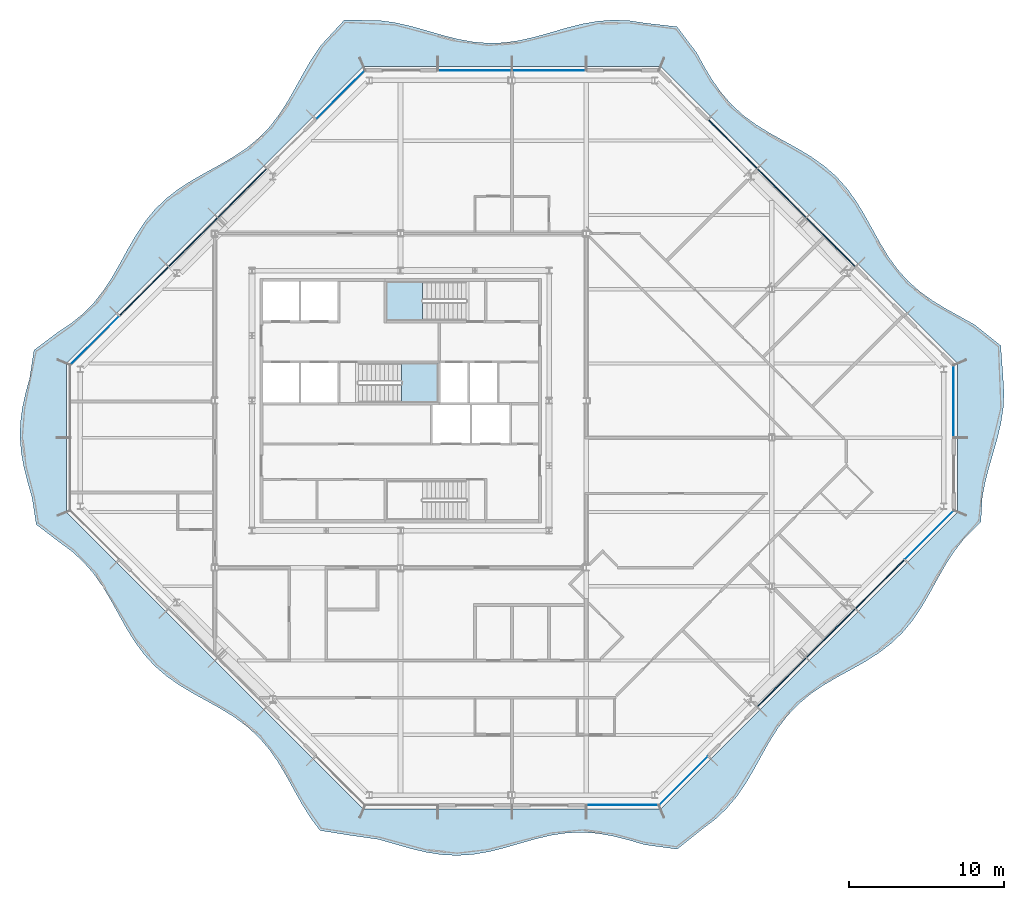
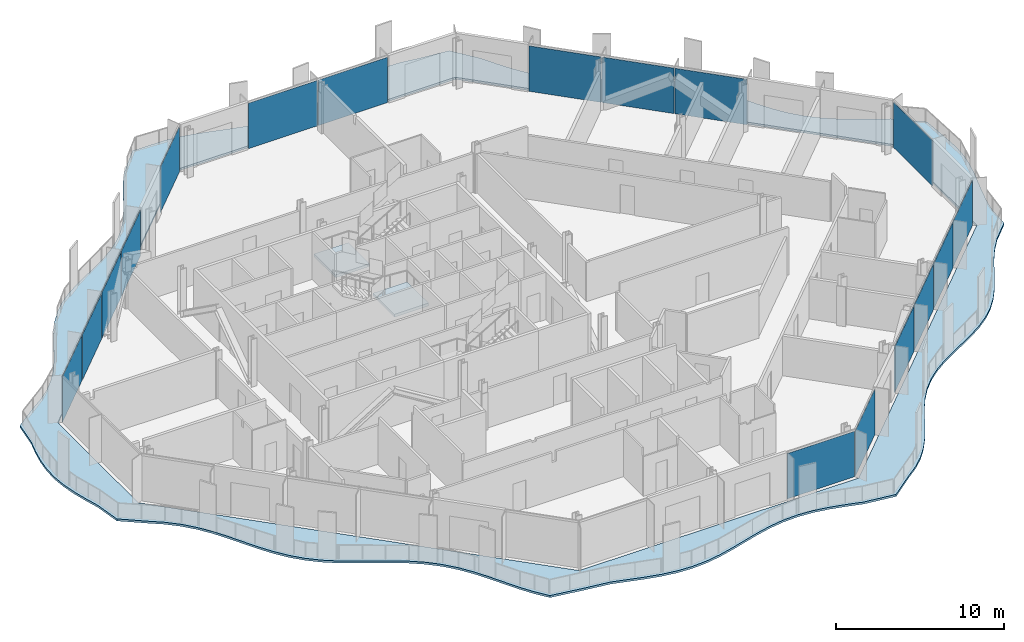
# One storey, part 6 of 17: 17 plates, 3 slabs, 8 elements without a shape of their own.
"""IFC4 building model written with IfcOpenShell, lengths in metres."""

from ifc_helpers import new_model, si_unit, direction, frame, origin, origin_2d, place, context, subcontext, project, spatial, polyline, rectangle, outline, extrude, material, layer, layer_set, type_object, element, aggregate, save


model = new_model("IFC4")

# Units and contexts
model_context = context("Model", 3, precision=1e-05, world=origin(), true_north=direction((0.0, 1.0)))
body_context = subcontext(model_context, "Body", "Model", "MODEL_VIEW")
ifc_project = project(units=[si_unit("LENGTHUNIT", "METRE"), si_unit("AREAUNIT", "SQUARE_METRE"), si_unit("VOLUMEUNIT", "CUBIC_METRE"), si_unit("PLANEANGLEUNIT", "RADIAN"), si_unit("MASSUNIT", "GRAM", prefix="KILO")], contexts=[model_context])

# Site, building, storey
site_placement = place(None, origin())
site = spatial("IfcSite", under=ifc_project, at=site_placement, CompositionType="ELEMENT")
building_placement = place(site_placement, origin())
building = spatial("IfcBuilding", under=site, at=building_placement, Name="Cairn Pilgrim Tower", CompositionType="ELEMENT")
storey_placement = place(building_placement, frame((0.0, 0.0, 217.800048828125)))
storey = spatial("IfcBuildingStorey", under=building, at=storey_placement, Name="L55", CompositionType="ELEMENT", Elevation=217.800048828125)

# Slab
ifc_material_1 = material(Name="Concrete C35/45", Category="concrete")
ifc_layer_1 = layer(ifc_material_1, 0.14990234375)
ifc_layer_set_1 = layer_set([ifc_layer_1], Name="BALCONY SLAB 150 CONCRETE C35/45")
slab_type_1 = type_object("IfcSlabType", Name="BALCONY SLAB 150 CONCRETE C35/45", PredefinedType="FLOOR", material=ifc_layer_set_1)
slab_1_placement = place(storey_placement, frame((0.0, 0.0, -0.150146484375)))
element("IfcSlab", 1, at=slab_1_placement, inside=storey, type_object=slab_type_1, Name="Balcony slab BS-1", PredefinedType="FLOOR", context=body_context, shape_type="SweptSolid", body=[
    extrude(outline(polyline([(1.9931640625, -25.384521484375), (4.087646484375, -25.7197265625), (5.810546875, -25.9658203125), (6.821044921875, -26.256103515625), (7.83154296875, -26.545654296875), (8.842041015625, -26.7890625), (9.8525390625, -26.94873046875), (10.863037109375, -26.999755859375), (11.873779296875, -26.934326171875), (12.88427734375, -26.762451171875), (13.894775390625, -26.510986328125), (14.9052734375, -26.218994140625), (15.915771484375, -25.931884765625), (16.92626953125, -25.694091796875), (17.936767578125, -25.542724609375), (18.947265625, -25.501220703125), (19.9580078125, -25.576171875), (20.968505859375, -25.755859375), (21.97900390625, -26.012451171875), (22.989501953125, -26.3056640625), (25.072998046875, -26.590576171875), (26.7060546875, -25.283935546875), (27.518310546875, -24.673828125), (28.252685546875, -23.986083984375), (28.90576171875, -23.216796875), (29.486572265625, -22.375244140625), (30.014892578125, -21.4814453125), (30.51904296875, -20.5634765625), (31.03076171875, -19.653076171875), (31.580810546875, -18.781005859375), (32.194091796875, -17.971923828125), (32.8857421875, -17.2412109375), (33.658447265625, -16.591796875), (34.5029296875, -16.013916015625), (35.3984375, -15.4873046875), (36.31689453125, -14.983642578125), (37.22607421875, -14.470703125), (38.095947265625, -13.918212890625), (38.901611328125, -13.301513671875), (39.628662109375, -12.6064453125), (40.274658203125, -11.830078125), (40.849609375, -10.98291015625), (41.37451171875, -10.08544921875), (41.8779296875, -9.166748046875), (42.39208984375, -8.2587890625), (42.947021484375, -7.391357421875), (43.56689453125, -6.589111328125), (44.707275390625, -5.42431640625), (44.797607421875, -3.840087890625), (44.9794921875, -2.8798828125), (45.2275390625, -1.919921875), (45.5068359375, -0.9599609375), (45.778076171875, 0.0), (46.00341796875, 0.9599609375), (46.15087890625, 1.919921875), (46.199951171875, 2.8798828125), (46.143798828125, 3.840087890625), (45.989990234375, 5.95556640625), (44.290771484375, 7.31298828125), (43.376220703125, 7.820556640625), (42.46044921875, 8.3271484375), (41.5751953125, 8.864013671875), (40.7470703125, 9.4580078125), (39.993896484375, 10.12744140625), (39.32275390625, 10.878173828125), (38.726806640625, 11.70458984375), (38.188720703125, 12.5888671875), (37.681884765625, 13.504150390625), (37.174560546875, 14.419189453125), (36.6357421875, 15.302490234375), (36.03857421875, 16.12744140625), (35.36572265625, 16.876953125), (34.611328125, 17.54443359375), (33.78173828125, 18.13720703125), (32.8955078125, 18.67333984375), (31.9794921875, 19.1796875), (31.0654296875, 19.6875), (30.18408203125, 20.228515625), (29.362060546875, 20.828857421875), (28.616455078125, 21.50537109375), (27.952392578125, 22.263427734375), (27.362548828125, 23.095947265625), (26.82861328125, 23.984130859375), (26.322998046875, 24.900634765625), (25.062744140625, 26.5654296875), (22.989501953125, 26.803955078125), (21.97900390625, 26.956298828125), (20.968505859375, 26.9990234375), (19.9580078125, 26.925048828125), (18.947265625, 26.746337890625), (17.936767578125, 26.490478515625), (16.92626953125, 26.197265625), (15.915771484375, 25.912109375), (14.9052734375, 25.6796875), (13.894775390625, 25.53564453125), (12.88427734375, 25.5029296875), (11.873779296875, 25.586181640625), (10.863037109375, 25.7724609375), (9.8525390625, 26.033203125), (8.842041015625, 26.32763671875), (7.83154296875, 26.60986328125), (6.821044921875, 26.836181640625), (5.810546875, 26.971435546875), (3.5595703125, 26.99462890625), (2.036376953125, 25.34130859375), (1.461181640625, 24.494384765625), (0.936279296875, 23.596923828125), (0.432861328125, 22.67822265625), (-0.081298828125, 21.77001953125), (-0.635986328125, 20.90283203125), (-1.255859375, 20.100341796875), (-1.95458984375, 19.376708984375), (-2.734130859375, 18.734130859375), (-3.583984375, 18.161865234375), (-4.48291015625, 17.638427734375), (-5.40185546875, 17.13525390625), (-6.308837890625, 16.619873046875), (-7.173828125, 16.062744140625), (-7.972900390625, 15.439453125), (-8.692626953125, 14.737060546875), (-9.331787109375, 13.9541015625), (-9.9013671875, 13.101318359375), (-10.423095703125, 12.200927734375), (-10.92626953125, 11.281982421875), (-11.44287109375, 10.376220703125), (-12.002685546875, 9.513916015625), (-12.629150390625, 8.718017578125), (-13.335205078125, 8.001953125), (-14.121826171875, 7.3662109375), (-14.97705078125, 6.79931640625), (-16.49169921875, 5.66650390625), (-16.772705078125, 3.840087890625), (-17.03662109375, 2.8798828125), (-17.24609375, 1.919921875), (-17.371826171875, 0.9599609375), (-17.396240234375, 0.0), (-17.315673828125, -0.9599609375), (-17.141845703125, -1.919921875), (-16.89892578125, -2.8798828125), (-16.620849609375, -3.840087890625), (-16.34716796875, -5.6064453125), (-14.8955078125, -6.7177734375), (-14.073486328125, -7.31787109375), (-13.32763671875, -7.994140625), (-12.663330078125, -8.752197265625), (-12.073486328125, -9.58447265625), (-11.539306640625, -10.47265625), (-11.03369140625, -11.38916015625), (-10.52490234375, -12.302734375), (-9.981689453125, -13.181884765625), (-9.37841796875, -14.000732421875), (-8.698486328125, -14.742919921875), (-7.93701171875, -15.403564453125), (-7.1015625, -15.990478515625), (-6.211669921875, -16.522705078125), (-5.29443359375, -17.02783203125), (-4.3818359375, -17.537353515625), (-3.5048828125, -18.082763671875), (-2.689208984375, -18.689208984375), (-1.95068359375, -19.372802734375), (-1.293701171875, -20.13818359375), (-0.709716796875, -20.976318359375), (-0.179443359375, -21.8681640625), (0.3251953125, -22.785888671875), (0.8359375, -23.697509765625), (1.383544921875, -24.572021484375), (1.9931640625, -25.384521484375)]), holes=[polyline([(24.0, -24.0), (4.800048828125, -24.0), (-14.39990234375, -4.800048828125), (-14.39990234375, 4.800048828125), (4.800048828125, 24.0), (24.0, 24.0), (43.199951171875, 4.800048828125), (43.199951171875, -4.800048828125), (24.0, -24.0)])]), origin(), (0.0, 0.0, 1.0), 0.150146484375),
])

# Curtain wall, plates
ifc_material_2 = material(Name="Aluminium alloy 6063-T6 bronze anodised with Bronze tinted laminated low-E glass 8+16+8.8", Category="aluminium")
curtain_wall_type_1 = type_object("IfcCurtainWallType", Name="CHAMFER CORNER CURTAIN WALL", PredefinedType="NOTDEFINED", material=ifc_material_2)
curtain_wall_1_placement = place(storey_placement, origin())
curtain_wall_1 = element("IfcCurtainWall", 2, at=curtain_wall_1_placement, inside=storey, type_object=curtain_wall_type_1, Name="Chamfer Corner Curtain Wall SE", PredefinedType="NOTDEFINED")
ifc_material_3 = material(Name="Bronze anodised aluminium spandrel panel with mineral wool insulation", Category="aluminium")
ifc_layer_2 = layer(ifc_material_3, 0.06005859375)
ifc_layer_set_2 = layer_set([ifc_layer_2], Name="SPANDREL PANEL 4431x3300")
plate_type_1 = type_object("IfcPlateType", Name="SPANDREL PANEL 4431x3300", PredefinedType="CURTAIN_PANEL", material=ifc_layer_set_2)
plate_1_placement = place(storey_placement, frame((31.83544921875, -15.81103515625, 0.0), z_axis=(0.0, 0.0, 1.0), x_axis=(0.707106781187, 0.707106781187, 0.0)))
plate_1 = element("IfcPlate", 3, at=plate_1_placement, type_object=plate_type_1, Name="Spandrel Panel SE3-1", PredefinedType="CURTAIN_PANEL", context=body_context, shape_type="SweptSolid", body=[
    extrude(rectangle(XDim=4.430908203125, YDim=0.06005859375, at=origin_2d()), origin(), (0.0, 0.0, 1.0), 3.300048828125),
])
plate_2_placement = place(storey_placement, frame((35.010986328125, -12.635498046875, 0.0), z_axis=(0.0, 0.0, 1.0), x_axis=(0.707106781187, 0.707106781187, 0.0)))
plate_2 = element("IfcPlate", 4, at=plate_2_placement, type_object=plate_type_1, Name="Spandrel Panel SE4-1", PredefinedType="CURTAIN_PANEL", context=body_context, shape_type="SweptSolid", body=[
    extrude(rectangle(XDim=4.430908203125, YDim=0.06005859375, at=origin_2d()), origin(), (0.0, 0.0, 1.0), 3.300048828125),
])
plate_3_placement = place(storey_placement, frame((38.1865234375, -9.459716796875, 0.0), z_axis=(0.0, 0.0, 1.0), x_axis=(0.707106781187, 0.707106781187, 0.0)))
plate_3 = element("IfcPlate", 5, at=plate_3_placement, type_object=plate_type_1, Name="Spandrel Panel SE5-1", PredefinedType="CURTAIN_PANEL", context=body_context, shape_type="SweptSolid", body=[
    extrude(rectangle(XDim=4.430908203125, YDim=0.06005859375, at=origin_2d()), origin(), (0.0, 0.0, 1.0), 3.300048828125),
])

curtain_wall_2_placement = place(storey_placement, origin())
curtain_wall_2 = element("IfcCurtainWall", 6, at=curtain_wall_2_placement, inside=storey, type_object=curtain_wall_type_1, Name="Chamfer Corner Curtain Wall NE", PredefinedType="NOTDEFINED")
plate_4_placement = place(storey_placement, frame((35.010986328125, 12.635498046875, 0.0), z_axis=(0.0, 0.0, 1.0), x_axis=(-0.707106781187, 0.707106781187, 0.0)))
plate_4 = element("IfcPlate", 7, at=plate_4_placement, type_object=plate_type_1, Name="Spandrel Panel NE3-1", PredefinedType="CURTAIN_PANEL", context=body_context, shape_type="SweptSolid", body=[
    extrude(rectangle(XDim=4.430908203125, YDim=0.06005859375, at=origin_2d()), origin(), (0.0, 0.0, 1.0), 3.300048828125),
])
plate_5_placement = place(storey_placement, frame((31.83544921875, 15.81103515625, 0.0), z_axis=(0.0, 0.0, 1.0), x_axis=(-0.707106781187, 0.707106781187, 0.0)))
plate_5 = element("IfcPlate", 8, at=plate_5_placement, type_object=plate_type_1, Name="Spandrel Panel NE4-1", PredefinedType="CURTAIN_PANEL", context=body_context, shape_type="SweptSolid", body=[
    extrude(rectangle(XDim=4.430908203125, YDim=0.06005859375, at=origin_2d()), origin(), (0.0, 0.0, 1.0), 3.300048828125),
])
plate_6_placement = place(storey_placement, frame((28.659912109375, 18.986572265625, 0.0), z_axis=(0.0, 0.0, 1.0), x_axis=(-0.707106781187, 0.707106781187, 0.0)))
plate_6 = element("IfcPlate", 9, at=plate_6_placement, type_object=plate_type_1, Name="Spandrel Panel NE5-1", PredefinedType="CURTAIN_PANEL", context=body_context, shape_type="SweptSolid", body=[
    extrude(rectangle(XDim=4.430908203125, YDim=0.06005859375, at=origin_2d()), origin(), (0.0, 0.0, 1.0), 3.300048828125),
])
aggregate(curtain_wall_2, [plate_4, plate_5, plate_6])

curtain_wall_3_placement = place(storey_placement, origin())
curtain_wall_3 = element("IfcCurtainWall", 10, at=curtain_wall_3_placement, inside=storey, type_object=curtain_wall_type_1, Name="Chamfer Corner Curtain Wall NW", PredefinedType="NOTDEFINED")
plate_7_placement = place(storey_placement, frame((-3.035400390625, 15.81103515625, 0.0), z_axis=(0.0, 0.0, 1.0), x_axis=(-0.707106781187, -0.707106781187, 0.0)))
plate_7 = element("IfcPlate", 11, at=plate_7_placement, type_object=plate_type_1, Name="Spandrel Panel NW3-1", PredefinedType="CURTAIN_PANEL", context=body_context, shape_type="SweptSolid", body=[
    extrude(rectangle(XDim=4.430908203125, YDim=0.06005859375, at=origin_2d()), origin(), (0.0, 0.0, 1.0), 3.300048828125),
])
plate_8_placement = place(storey_placement, frame((-6.2109375, 12.635498046875, 0.0), z_axis=(0.0, 0.0, 1.0), x_axis=(-0.707106781187, -0.707106781187, 0.0)))
plate_8 = element("IfcPlate", 12, at=plate_8_placement, type_object=plate_type_1, Name="Spandrel Panel NW4-1", PredefinedType="CURTAIN_PANEL", context=body_context, shape_type="SweptSolid", body=[
    extrude(rectangle(XDim=4.430908203125, YDim=0.06005859375, at=origin_2d()), origin(), (0.0, 0.0, 1.0), 3.300048828125),
])
plate_9_placement = place(storey_placement, frame((-9.38671875, 9.459716796875, 0.0), z_axis=(0.0, 0.0, 1.0), x_axis=(-0.707106781187, -0.707106781187, 0.0)))
plate_9 = element("IfcPlate", 13, at=plate_9_placement, type_object=plate_type_1, Name="Spandrel Panel NW5-1", PredefinedType="CURTAIN_PANEL", context=body_context, shape_type="SweptSolid", body=[
    extrude(rectangle(XDim=4.430908203125, YDim=0.06005859375, at=origin_2d()), origin(), (0.0, 0.0, 1.0), 3.300048828125),
])

# Stair, slab
ifc_material_4 = material(Name="Concrete C32/40", Category="concrete")
stair_type = type_object("IfcStairType", Name="EXIT STAIR 1200", PredefinedType="HALF_TURN_STAIR", material=ifc_material_4)
stair_1_placement = place(storey_placement, origin())
stair_1 = element("IfcStair", 14, at=stair_1_placement, inside=storey, type_object=stair_type, Name="L55 Exit Stair B", PredefinedType="HALF_TURN_STAIR")
ifc_layer_3 = layer(ifc_material_4, 0.199951171875)
ifc_layer_set_3 = layer_set([ifc_layer_3], Name="STAIR LANDING 200")
slab_type_2 = type_object("IfcSlabType", Name="STAIR LANDING 200", PredefinedType="LANDING", material=ifc_layer_set_3)
slab_2_placement = place(storey_placement, frame((0.0, 0.0, 1.599853515625)))
slab_2 = element("IfcSlab", 15, at=slab_2_placement, type_object=slab_type_2, Name="ST-B landing 1", PredefinedType="LANDING", context=body_context, shape_type="SweptSolid", body=[
    extrude(outline(polyline([(7.27490234375, 2.27490234375), (9.625, 2.27490234375), (9.625, 4.824951171875), (7.27490234375, 4.824951171875), (7.27490234375, 2.27490234375)])), origin(), (0.0, 0.0, 1.0), 0.2001953125),
])
aggregate(stair_1, [slab_2])

stair_2_placement = place(storey_placement, origin())
stair_2 = element("IfcStair", 16, at=stair_2_placement, inside=storey, type_object=stair_type, Name="L55 Exit Stair C", PredefinedType="HALF_TURN_STAIR")
slab_3_placement = place(storey_placement, frame((0.0, 0.0, 1.599853515625)))
slab_3 = element("IfcSlab", 17, at=slab_3_placement, type_object=slab_type_2, Name="ST-C landing 1", PredefinedType="LANDING", context=body_context, shape_type="SweptSolid", body=[
    extrude(outline(polyline([(8.625, 10.10009765625), (6.27490234375, 10.10009765625), (6.27490234375, 7.574951171875), (8.625, 7.574951171875), (8.625, 10.10009765625)])), origin(), (0.0, 0.0, 1.0), 0.2001953125),
])
aggregate(stair_2, [slab_3])

# Plate
ifc_material_5 = material(Name="Bronze tinted laminated low-E glass 8+16+8.8", Category="glass")
ifc_layer_4 = layer(ifc_material_5, 0.033935546875)
ifc_layer_set_4 = layer_set([ifc_layer_4], Name="VISION GLAZING 4421x3300")
plate_type_2 = type_object("IfcPlateType", Name="VISION GLAZING 4421x3300", PredefinedType="CURTAIN_PANEL", material=ifc_layer_set_4)
plate_10_placement = place(storey_placement, frame((25.48779296875, -22.15869140625, 0.0), z_axis=(0.0, 0.0, 1.0), x_axis=(0.707106781187, 0.707106781187, 0.0)))
plate_10 = element("IfcPlate", 18, at=plate_10_placement, type_object=plate_type_2, Name="Vision Glazing SE1-1", PredefinedType="CURTAIN_PANEL", context=body_context, shape_type="SweptSolid", body=[
    extrude(rectangle(XDim=4.4208984375, YDim=0.033935546875, at=origin_2d()), origin(), (0.0, 0.0, 1.0), 3.300048828125),
])

plate_11_placement = place(storey_placement, frame((41.358642578125, -6.287841796875, 0.0), z_axis=(0.0, 0.0, 1.0), x_axis=(0.707106781187, 0.707106781187, 0.0)))
plate_11 = element("IfcPlate", 19, at=plate_11_placement, type_object=plate_type_2, Name="Vision Glazing SE6-1", PredefinedType="CURTAIN_PANEL", context=body_context, shape_type="SweptSolid", body=[
    extrude(rectangle(XDim=4.4208984375, YDim=0.033935546875, at=origin_2d()), origin(), (0.0, 0.0, 1.0), 3.300048828125),
])

aggregate(curtain_wall_1, [plate_10, plate_1, plate_2, plate_3, plate_11])

plate_12_placement = place(storey_placement, frame((3.312255859375, 22.15869140625, 0.0), z_axis=(0.0, 0.0, 1.0), x_axis=(-0.707106781187, -0.707106781187, 0.0)))
plate_12 = element("IfcPlate", 20, at=plate_12_placement, type_object=plate_type_2, Name="Vision Glazing NW1-1", PredefinedType="CURTAIN_PANEL", context=body_context, shape_type="SweptSolid", body=[
    extrude(rectangle(XDim=4.4208984375, YDim=0.033935546875, at=origin_2d()), origin(), (0.0, 0.0, 1.0), 3.300048828125),
])

plate_13_placement = place(storey_placement, frame((-12.55859375, 6.287841796875, 0.0), z_axis=(0.0, 0.0, 1.0), x_axis=(-0.707106781187, -0.707106781187, 0.0)))
plate_13 = element("IfcPlate", 21, at=plate_13_placement, type_object=plate_type_2, Name="Vision Glazing NW6-1", PredefinedType="CURTAIN_PANEL", context=body_context, shape_type="SweptSolid", body=[
    extrude(rectangle(XDim=4.4208984375, YDim=0.033935546875, at=origin_2d()), origin(), (0.0, 0.0, 1.0), 3.300048828125),
])

aggregate(curtain_wall_3, [plate_12, plate_7, plate_8, plate_9, plate_13])

# Curtain wall, plate
curtain_wall_type_2 = type_object("IfcCurtainWallType", Name="TOWER STICK CURTAIN WALL NS", PredefinedType="NOTDEFINED", material=ifc_material_2)
curtain_wall_4_placement = place(storey_placement, origin())
curtain_wall_4 = element("IfcCurtainWall", 22, at=curtain_wall_4_placement, inside=storey, type_object=curtain_wall_type_2, Name="Tower Stick Curtain Wall Ns S", PredefinedType="NOTDEFINED")
ifc_layer_5 = layer(ifc_material_5, 0.033935546875)
ifc_layer_set_5 = layer_set([ifc_layer_5], Name="VISION GLAZING 4626x3300")
plate_type_3 = type_object("IfcPlateType", Name="VISION GLAZING 4626x3300", PredefinedType="CURTAIN_PANEL", material=ifc_layer_set_5)
plate_14_placement = place(storey_placement, frame((21.543212890625, -23.75, 0.0), z_axis=(0.0, 0.0, 1.0), x_axis=(1.0, 0.0, 0.0)))
plate_14 = element("IfcPlate", 23, at=plate_14_placement, type_object=plate_type_3, Name="Vision Glazing S4-1", PredefinedType="CURTAIN_PANEL", context=body_context, shape_type="SweptSolid", body=[
    extrude(rectangle(XDim=4.62646484375, YDim=0.033935546875, at=origin_2d()), origin(), (0.0, 0.0, 1.0), 3.300048828125),
])
aggregate(curtain_wall_4, [plate_14])

curtain_wall_type_3 = type_object("IfcCurtainWallType", Name="TOWER STICK CURTAIN WALL EW", PredefinedType="NOTDEFINED", material=ifc_material_2)
curtain_wall_5_placement = place(storey_placement, origin())
curtain_wall_5 = element("IfcCurtainWall", 24, at=curtain_wall_5_placement, inside=storey, type_object=curtain_wall_type_3, Name="Tower Stick Curtain Wall Ew E", PredefinedType="NOTDEFINED")
plate_15_placement = place(storey_placement, frame((42.949951171875, 2.34326171875, 0.0), z_axis=(0.0, 0.0, 1.0), x_axis=(0.0, 1.0, 0.0)))
plate_15 = element("IfcPlate", 25, at=plate_15_placement, type_object=plate_type_3, Name="Vision Glazing E2-1", PredefinedType="CURTAIN_PANEL", context=body_context, shape_type="SweptSolid", body=[
    extrude(rectangle(XDim=4.62646484375, YDim=0.033935546875, at=origin_2d()), origin(), (0.0, 0.0, 1.0), 3.300048828125),
])
aggregate(curtain_wall_5, [plate_15])

# Curtain wall, plates
curtain_wall_6_placement = place(storey_placement, origin())
curtain_wall_6 = element("IfcCurtainWall", 26, at=curtain_wall_6_placement, inside=storey, type_object=curtain_wall_type_2, Name="Tower Stick Curtain Wall Ns N", PredefinedType="NOTDEFINED")
ifc_layer_6 = layer(ifc_material_5, 0.033935546875)
ifc_layer_set_6 = layer_set([ifc_layer_6], Name="VISION GLAZING 4740x3300")
plate_type_4 = type_object("IfcPlateType", Name="VISION GLAZING 4740x3300", PredefinedType="CURTAIN_PANEL", material=ifc_layer_set_6)
plate_16_placement = place(storey_placement, frame((16.800048828125, 23.75, 0.0), z_axis=(0.0, 0.0, 1.0), x_axis=(-1.0, 0.0, 0.0)))
plate_16 = element("IfcPlate", 27, at=plate_16_placement, type_object=plate_type_4, Name="Vision Glazing N2-1", PredefinedType="CURTAIN_PANEL", context=body_context, shape_type="SweptSolid", body=[
    extrude(rectangle(XDim=4.739990234375, YDim=0.033935546875, at=origin_2d()), origin(), (0.0, 0.0, 1.0), 3.300048828125),
])
plate_17_placement = place(storey_placement, frame((12.0, 23.75, 0.0), z_axis=(0.0, 0.0, 1.0), x_axis=(-1.0, 0.0, 0.0)))
plate_17 = element("IfcPlate", 28, at=plate_17_placement, type_object=plate_type_4, Name="Vision Glazing N3-1", PredefinedType="CURTAIN_PANEL", context=body_context, shape_type="SweptSolid", body=[
    extrude(rectangle(XDim=4.739990234375, YDim=0.033935546875, at=origin_2d()), origin(), (0.0, 0.0, 1.0), 3.300048828125),
])
aggregate(curtain_wall_6, [plate_16, plate_17])

save(model, "model.ifc")
